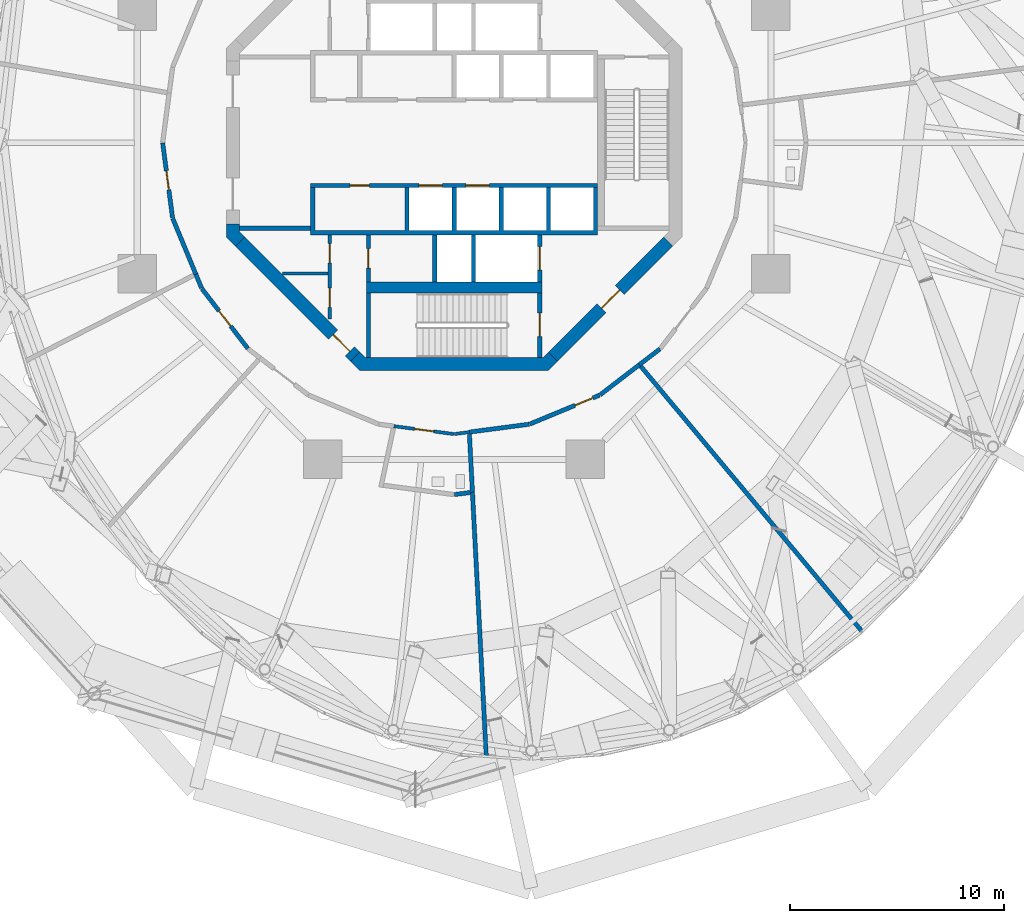
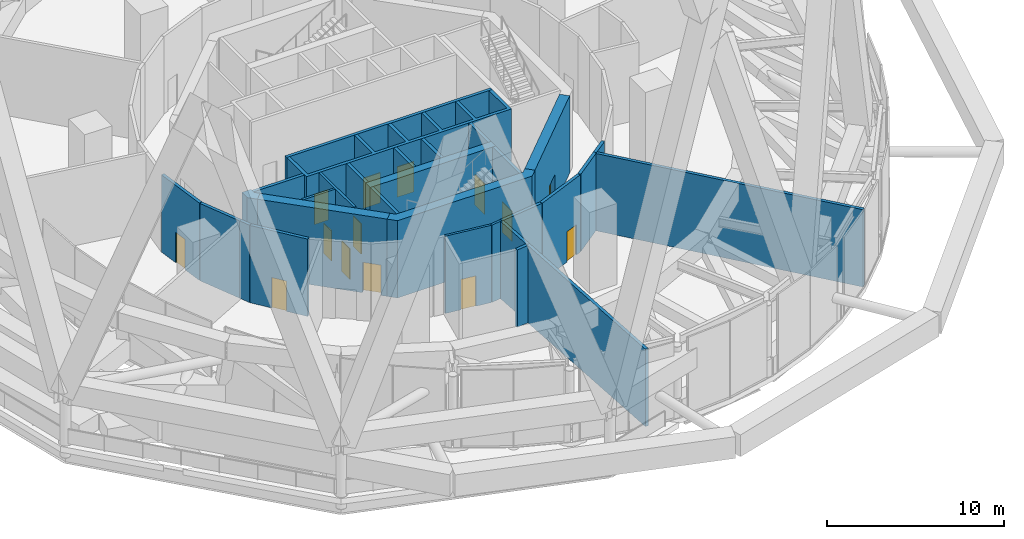
# One storey, part 49 of 60: 30 walls, 14 doors, 14 openings.
"""IFC4 building model written with IfcOpenShell, lengths in metres."""

from ifc_helpers import new_model, si_unit, direction, frame, frame_2d, origin, place, context, subcontext, project, spatial, polyline, rectangle, outline, extrude, material, layer, layer_set, type_object, element, fill, save


model = new_model("IFC4")

# Units and contexts
model_context = context("Model", 3, precision=1e-05, world=origin(), true_north=direction((0.0, 1.0)))
body_context = subcontext(model_context, "Body", "Model", "MODEL_VIEW")
ifc_project = project(units=[si_unit("LENGTHUNIT", "METRE"), si_unit("AREAUNIT", "SQUARE_METRE"), si_unit("VOLUMEUNIT", "CUBIC_METRE"), si_unit("PLANEANGLEUNIT", "RADIAN"), si_unit("MASSUNIT", "GRAM", prefix="KILO")], contexts=[model_context])

# Site, building, storey
site_placement = place(None, origin())
site = spatial("IfcSite", under=ifc_project, at=site_placement, CompositionType="ELEMENT")
building_placement = place(site_placement, origin())
building = spatial("IfcBuilding", under=site, at=building_placement, Name="Nagisa Residences", CompositionType="ELEMENT")
storey_placement = place(building_placement, frame((0.0, 0.0, 206.60009765625)))
storey = spatial("IfcBuildingStorey", under=building, at=storey_placement, Name="L52", CompositionType="ELEMENT", Elevation=206.60009765625)

# Wall, openings, doors
ifc_material_1 = material(Name="Gypsum board on steel studs", Category="steel")
ifc_layer_1 = layer(ifc_material_1, 0.14990234375)
ifc_layer_set_1 = layer_set([ifc_layer_1], Name="Core partition 150")
wall_type_1 = type_object("IfcWallType", Name="Core partition 150", PredefinedType="PARTITIONING", material=ifc_layer_set_1)
wall_1_placement = place(storey_placement, frame((-5.800048828125, -8.22705078125, 0.0), z_axis=(0.0, 0.0, 1.0), x_axis=(0.0, 1.0, 0.0)))
wall_1 = element("IfcWall", 1, at=wall_1_placement, inside=storey, type_object=wall_type_1, Name="wall:L52:SWp", PredefinedType="PARTITIONING", context=body_context, shape_type="SweptSolid", body=[
    extrude(rectangle(XDim=3.927001953125, YDim=0.14990234375, at=frame_2d((1.96337890625, 0.0))), origin(), (0.0, 0.0, 1.0), 5.33984375),
])
opening_1_placement = place(wall_1_placement, frame((2.614501953125, 0.0, 0.0)))
opening_1 = element("IfcOpeningElement", 2, at=opening_1_placement, cuts=wall_1, Name="Opening L52-C12", PredefinedType="OPENING", context=body_context, shape_type="SweptSolid", body=[
    extrude(rectangle(XDim=0.89990234375, YDim=2.10009765625, at=frame_2d((0.449951171875, 1.050048828125))), frame((0.0, 0.0849609375, 0.0), z_axis=(0.0, -1.0, 0.0), x_axis=(1.0, 0.0, 0.0)), (0.0, 0.0, 1.0), 0.169921875),
])
opening_2_placement = place(wall_1_placement, frame((0.53857421875, 0.0, 0.0)))
opening_2 = element("IfcOpeningElement", 3, at=opening_2_placement, cuts=wall_1, Name="Opening L52-C13", PredefinedType="OPENING", context=body_context, shape_type="SweptSolid", body=[
    extrude(rectangle(XDim=0.89990234375, YDim=2.10009765625, at=frame_2d((0.449951171875, 1.050048828125))), frame((0.0, 0.0849609375, 0.0), z_axis=(0.0, -1.0, 0.0), x_axis=(1.0, 0.0, 0.0)), (0.0, 0.0, 1.0), 0.169921875),
])
ifc_material_2 = material(Name="Steel fire door", Category="steel")
door_type_1 = type_object("IfcDoorType", Name="Fire door EI30 900x2100 single swing", OperationType="NOTDEFINED", PredefinedType="DOOR", material=ifc_material_2)
door_1_placement = place(opening_1_placement, origin())
door_1 = element("IfcDoor", 4, at=door_1_placement, inside=storey, type_object=door_type_1, Name="Valet store door L52", OperationType="SINGLE_SWING_RIGHT", OverallHeight=2.10009765625, OverallWidth=0.89990234375, PredefinedType="DOOR", context=body_context, shape_type="SweptSolid", body=[
    extrude(rectangle(XDim=0.89990234375, YDim=2.10009765625, at=frame_2d((0.449951171875, 1.050048828125))), frame((0.0, 0.02490234375, 0.0), z_axis=(0.0, -1.0, 0.0), x_axis=(1.0, 0.0, 0.0)), (0.0, 0.0, 1.0), 0.050048828125),
])
fill(opening_1, door_1)
door_2_placement = place(opening_2_placement, origin())
door_2 = element("IfcDoor", 5, at=door_2_placement, inside=storey, type_object=door_type_1, Name="Staff WC door L52", OperationType="SINGLE_SWING_RIGHT", OverallHeight=2.10009765625, OverallWidth=0.89990234375, PredefinedType="DOOR", context=body_context, shape_type="SweptSolid", body=[
    extrude(rectangle(XDim=0.89990234375, YDim=2.10009765625, at=frame_2d((0.449951171875, 1.050048828125))), frame((0.0, 0.02490234375, 0.0), z_axis=(0.0, -1.0, 0.0), x_axis=(1.0, 0.0, 0.0)), (0.0, 0.0, 1.0), 0.050048828125),
])
fill(opening_2, door_2)

# Walls
wall_2_placement = place(storey_placement, frame((-8.0009765625, -6.10009765625, 0.0), z_axis=(0.0, 0.0, 1.0), x_axis=(1.0, 0.0, 0.0)))
element("IfcWall", 6, at=wall_2_placement, inside=storey, type_object=wall_type_1, Name="wall:L52:SWq", PredefinedType="PARTITIONING", context=body_context, shape_type="SweptSolid", body=[
    extrude(rectangle(XDim=2.1259765625, YDim=0.14990234375, at=frame_2d((1.06298828125, 0.0))), origin(), (0.0, 0.0, 1.0), 5.33984375),
])
ifc_material_3 = material(Name="Gypsum board on steel studs", Category="steel")
ifc_layer_2 = layer(ifc_material_3, 0.199951171875)
ifc_layer_set_2 = layer_set([ifc_layer_2], Name="Core partition 200")
wall_type_2 = type_object("IfcWallType", Name="Core partition 200", PredefinedType="PARTITIONING", material=ifc_layer_set_2)
wall_3_placement = place(storey_placement, frame((-10.024658203125, -4.0, 0.0), z_axis=(0.0, 0.0, 1.0), x_axis=(1.0, 0.0, 0.0)))
element("IfcWall", 7, at=wall_3_placement, inside=storey, type_object=wall_type_2, Name="wall:L52:PSW", PredefinedType="PARTITIONING", context=body_context, shape_type="SweptSolid", body=[
    extrude(rectangle(XDim=3.32470703125, YDim=0.199951171875, at=frame_2d((1.662353515625, 0.0))), origin(), (0.0, 0.0, 1.0), 5.33984375),
])

# Wall, opening, door
ifc_material_4 = material(Name="Concrete C60", Category="concrete")
ifc_layer_3 = layer(ifc_material_4, 0.60009765625)
ifc_layer_set_3 = layer_set([ifc_layer_3], Name="Core shear wall 600")
wall_type_3 = type_object("IfcWallType", Name="Core shear wall 600", PredefinedType="SHEAR", material=ifc_layer_set_3)
wall_4_placement = place(storey_placement, frame((-9.98828125, -4.613037109375, 0.0), z_axis=(0.0, 0.0, 1.0), x_axis=(0.707106781187, -0.707106781187, 0.0)))
wall_4 = element("IfcWall", 8, at=wall_4_placement, inside=storey, type_object=wall_type_3, Name="wall:L52:core:flat5", PredefinedType="SHEAR", context=body_context, shape_type="SweptSolid", body=[
    extrude(rectangle(XDim=7.601806640625, YDim=0.60009765625, at=frame_2d((3.80078125, 0.0))), origin(), (0.0, 0.0, 1.0), 5.33984375),
])
opening_3_placement = place(wall_4_placement, frame((6.15087890625, 0.0, 0.0)))
opening_3 = element("IfcOpeningElement", 9, at=opening_3_placement, cuts=wall_4, Name="Opening L52-C23", PredefinedType="OPENING", context=body_context, shape_type="SweptSolid", body=[
    extrude(rectangle(XDim=1.10009765625, YDim=2.10009765625, at=frame_2d((0.550048828125, 1.050048828125))), frame((0.0, 0.31005859375, 0.0), z_axis=(0.0, -1.0, 0.0), x_axis=(1.0, 0.0, 0.0)), (0.0, 0.0, 1.0), 0.6201171875),
])
ifc_material_5 = material(Name="Steel fire door", Category="steel")
door_type_2 = type_object("IfcDoorType", Name="Fire door EI60 1100x2100 single swing", OperationType="NOTDEFINED", PredefinedType="DOOR", material=ifc_material_5)
door_3_placement = place(opening_3_placement, origin())
door_3 = element("IfcDoor", 10, at=door_3_placement, inside=storey, type_object=door_type_2, Name="Housekeeping lobby door L52", OperationType="SINGLE_SWING_LEFT", OverallHeight=2.10009765625, OverallWidth=1.10009765625, PredefinedType="DOOR", context=body_context, shape_type="SweptSolid", body=[
    extrude(rectangle(XDim=1.10009765625, YDim=2.10009765625, at=frame_2d((0.550048828125, 1.050048828125))), frame((0.0, 0.02490234375, 0.0), z_axis=(0.0, -1.0, 0.0), x_axis=(1.0, 0.0, 0.0)), (0.0, 0.0, 1.0), 0.050048828125),
])
fill(opening_3, door_3)

wall_5_placement = place(storey_placement, frame((4.613037109375, -9.98828125, 0.0), z_axis=(0.0, 0.0, 1.0), x_axis=(0.707106781187, 0.707106781187, 0.0)))
wall_5 = element("IfcWall", 11, at=wall_5_placement, inside=storey, type_object=wall_type_3, Name="wall:L52:core:flat7", PredefinedType="SHEAR", context=body_context, shape_type="SweptSolid", body=[
    extrude(rectangle(XDim=7.601806640625, YDim=0.60009765625, at=frame_2d((3.80078125, 0.0))), origin(), (0.0, 0.0, 1.0), 5.33984375),
])
opening_4_placement = place(wall_5_placement, frame((3.200927734375, 0.0, 0.0)))
opening_4 = element("IfcOpeningElement", 12, at=opening_4_placement, cuts=wall_5, Name="Opening L52-C19", PredefinedType="OPENING", context=body_context, shape_type="SweptSolid", body=[
    extrude(rectangle(XDim=1.199951171875, YDim=2.10009765625, at=frame_2d((0.60009765625, 1.050048828125))), frame((0.0, 0.31005859375, 0.0), z_axis=(0.0, -1.0, 0.0), x_axis=(1.0, 0.0, 0.0)), (0.0, 0.0, 1.0), 0.6201171875),
])
ifc_material_6 = material(Name="Steel fire door", Category="steel")
door_type_3 = type_object("IfcDoorType", Name="Fire door EI60 1200x2100 single swing", OperationType="NOTDEFINED", PredefinedType="DOOR", material=ifc_material_6)
door_4_placement = place(opening_4_placement, origin())
door_4 = element("IfcDoor", 13, at=door_4_placement, inside=storey, type_object=door_type_3, Name="Firefighting lobby 2 door L52", OperationType="SINGLE_SWING_LEFT", OverallHeight=2.10009765625, OverallWidth=1.199951171875, PredefinedType="DOOR", context=body_context, shape_type="SweptSolid", body=[
    extrude(rectangle(XDim=1.199951171875, YDim=2.10009765625, at=frame_2d((0.60009765625, 1.050048828125))), frame((0.0, 0.02490234375, 0.0), z_axis=(0.0, -1.0, 0.0), x_axis=(1.0, 0.0, 0.0)), (0.0, 0.0, 1.0), 0.050048828125),
])
fill(opening_4, door_4)

# Walls
wall_6_placement = place(storey_placement, origin())
element("IfcWall", 14, at=wall_6_placement, inside=storey, type_object=wall_type_3, Name="wall:L52:core:pier4", PredefinedType="SHEAR", context=body_context, shape_type="SweptSolid", body=[
    extrude(outline(polyline([(-10.62451171875, -3.80078125), (-10.024658203125, -3.80078125), (-10.024658203125, -4.15234375), (-9.776123046875, -4.40087890625), (-10.200439453125, -4.8251953125), (-10.62451171875, -4.40087890625), (-10.62451171875, -3.80078125)])), origin(), (0.0, 0.0, 1.0), 5.33984375),
])
wall_7_placement = place(storey_placement, origin())
element("IfcWall", 15, at=wall_7_placement, inside=storey, type_object=wall_type_3, Name="wall:L52:core:flat6", PredefinedType="SHEAR", context=body_context, shape_type="SweptSolid", body=[
    extrude(outline(polyline([(-4.15234375, -10.024658203125), (4.15234375, -10.024658203125), (4.40087890625, -9.776123046875), (4.8251953125, -10.200439453125), (4.40087890625, -10.62451171875), (-4.40087890625, -10.62451171875), (-4.8251953125, -10.200439453125), (-4.40087890625, -9.776123046875), (-4.15234375, -10.024658203125)])), origin(), (0.0, 0.0, 1.0), 5.33984375),
])

# Wall, opening, door
ifc_material_7 = material(Name="Concrete C60", Category="concrete")
ifc_layer_4 = layer(ifc_material_7, 0.199951171875)
ifc_layer_set_4 = layer_set([ifc_layer_4], Name="Lift shaft wall 200")
wall_type_4 = type_object("IfcWallType", Name="Lift shaft wall 200", PredefinedType="SOLIDWALL", material=ifc_layer_set_4)
wall_8_placement = place(storey_placement, frame((4.0, -6.5, 0.0), z_axis=(0.0, 0.0, 1.0), x_axis=(0.0, 1.0, 0.0)))
wall_8 = element("IfcWall", 16, at=wall_8_placement, inside=storey, type_object=wall_type_4, Name="wall:L52:Sb3", PredefinedType="SOLIDWALL", context=body_context, shape_type="SweptSolid", body=[
    extrude(rectangle(XDim=2.199951171875, YDim=0.199951171875, at=frame_2d((1.10009765625, 0.0))), origin(), (0.0, 0.0, 1.0), 5.33984375),
])
opening_5_placement = place(wall_8_placement, frame((0.550048828125, 0.0, 0.0)))
opening_5 = element("IfcOpeningElement", 17, at=opening_5_placement, cuts=wall_8, Name="Opening L52-C06", PredefinedType="OPENING", context=body_context, shape_type="SweptSolid", body=[
    extrude(rectangle(XDim=1.10009765625, YDim=2.10009765625, at=frame_2d((0.550048828125, 1.050048828125))), frame((0.0, 0.10986328125, 0.0), z_axis=(0.0, -1.0, 0.0), x_axis=(1.0, 0.0, 0.0)), (0.0, 0.0, 1.0), 0.219970703125),
])
ifc_material_8 = material(Name="Stainless steel", Category="steel")
door_type_4 = type_object("IfcDoorType", Name="Lift landing door 1100x2100", OperationType="DOUBLE_DOOR_SLIDING", PredefinedType="DOOR", material=ifc_material_8)
door_5_placement = place(opening_5_placement, origin())
door_5 = element("IfcDoor", 18, at=door_5_placement, inside=storey, type_object=door_type_4, Name="Landing door FL2 L52", OperationType="DOUBLE_DOOR_SLIDING", OverallHeight=2.10009765625, OverallWidth=1.10009765625, PredefinedType="DOOR", context=body_context, shape_type="SweptSolid", body=[
    extrude(rectangle(XDim=1.10009765625, YDim=2.10009765625, at=frame_2d((0.550048828125, 1.050048828125))), frame((0.0, 0.02490234375, 0.0), z_axis=(0.0, -1.0, 0.0), x_axis=(1.0, 0.0, 0.0)), (0.0, 0.0, 1.0), 0.050048828125),
])
fill(opening_5, door_5)

wall_9_placement = place(storey_placement, frame((-4.0, -6.5, 0.0), z_axis=(0.0, 0.0, 1.0), x_axis=(0.0, 1.0, 0.0)))
wall_9 = element("IfcWall", 19, at=wall_9_placement, inside=storey, type_object=wall_type_4, Name="wall:L52:Sb4", PredefinedType="SOLIDWALL", context=body_context, shape_type="SweptSolid", body=[
    extrude(rectangle(XDim=2.199951171875, YDim=0.199951171875, at=frame_2d((1.10009765625, 0.0))), origin(), (0.0, 0.0, 1.0), 5.33984375),
])
opening_6_placement = place(wall_9_placement, frame((0.64990234375, 0.0, 0.0)))
opening_6 = element("IfcOpeningElement", 20, at=opening_6_placement, cuts=wall_9, Name="Opening L52-C14", PredefinedType="OPENING", context=body_context, shape_type="SweptSolid", body=[
    extrude(rectangle(XDim=0.89990234375, YDim=2.10009765625, at=frame_2d((0.449951171875, 1.050048828125))), frame((0.0, 0.10986328125, 0.0), z_axis=(0.0, -1.0, 0.0), x_axis=(1.0, 0.0, 0.0)), (0.0, 0.0, 1.0), 0.219970703125),
])
door_6_placement = place(opening_6_placement, frame((0.89990234375, 0.0, 0.0), x_axis=(-1.0, 0.0, 0.0)))
door_6 = element("IfcDoor", 21, at=door_6_placement, inside=storey, type_object=door_type_1, Name="Refuse room door L52", OperationType="SINGLE_SWING_LEFT", OverallHeight=2.10009765625, OverallWidth=0.89990234375, PredefinedType="DOOR", context=body_context, shape_type="SweptSolid", body=[
    extrude(rectangle(XDim=0.89990234375, YDim=2.10009765625, at=frame_2d((0.449951171875, 1.050048828125))), frame((0.0, 0.02490234375, 0.0), z_axis=(0.0, -1.0, 0.0), x_axis=(1.0, 0.0, 0.0)), (0.0, 0.0, 1.0), 0.050048828125),
])
fill(opening_6, door_6)

# Wall, openings, doors
wall_10_placement = place(storey_placement, frame((-6.699951171875, -2.0, 0.0), z_axis=(0.0, 0.0, 1.0), x_axis=(1.0, 0.0, 0.0)))
wall_10 = element("IfcWall", 22, at=wall_10_placement, inside=storey, type_object=wall_type_4, Name="wall:L52:Sfront", PredefinedType="SOLIDWALL", context=body_context, shape_type="SweptSolid", body=[
    extrude(rectangle(XDim=13.39990234375, YDim=0.199951171875, at=frame_2d((6.699951171875, 0.0))), origin(), (0.0, 0.0, 1.0), 5.33984375),
])
opening_7_placement = place(wall_10_placement, frame((5.050048828125, 0.0, 0.0)))
opening_7 = element("IfcOpeningElement", 23, at=opening_7_placement, cuts=wall_10, Name="Opening L52-C03", PredefinedType="OPENING", context=body_context, shape_type="SweptSolid", body=[
    extrude(rectangle(XDim=1.10009765625, YDim=2.10009765625, at=frame_2d((0.550048828125, 1.050048828125))), frame((0.0, 0.10986328125, 0.0), z_axis=(0.0, -1.0, 0.0), x_axis=(1.0, 0.0, 0.0)), (0.0, 0.0, 1.0), 0.219970703125),
])
opening_8_placement = place(wall_10_placement, frame((7.25, 0.0, 0.0)))
opening_8 = element("IfcOpeningElement", 24, at=opening_8_placement, cuts=wall_10, Name="Opening L52-C04", PredefinedType="OPENING", context=body_context, shape_type="SweptSolid", body=[
    extrude(rectangle(XDim=1.10009765625, YDim=2.10009765625, at=frame_2d((0.550048828125, 1.050048828125))), frame((0.0, 0.10986328125, 0.0), z_axis=(0.0, -1.0, 0.0), x_axis=(1.0, 0.0, 0.0)), (0.0, 0.0, 1.0), 0.219970703125),
])
opening_9_placement = place(wall_10_placement, frame((1.85009765625, 0.0, 0.0)))
opening_9 = element("IfcOpeningElement", 25, at=opening_9_placement, cuts=wall_10, Name="Opening L52-C17", PredefinedType="OPENING", context=body_context, shape_type="SweptSolid", body=[
    extrude(rectangle(XDim=0.89990234375, YDim=2.10009765625, at=frame_2d((0.449951171875, 1.050048828125))), frame((0.0, 0.10986328125, 0.0), z_axis=(0.0, -1.0, 0.0), x_axis=(1.0, 0.0, 0.0)), (0.0, 0.0, 1.0), 0.219970703125),
])
door_7_placement = place(opening_9_placement, frame((0.89990234375, 0.0, 0.0), x_axis=(-1.0, 0.0, 0.0)))
door_7 = element("IfcDoor", 26, at=door_7_placement, inside=storey, type_object=door_type_1, Name="Linen store door L52", OperationType="SINGLE_SWING_RIGHT", OverallHeight=2.10009765625, OverallWidth=0.89990234375, PredefinedType="DOOR", context=body_context, shape_type="SweptSolid", body=[
    extrude(rectangle(XDim=0.89990234375, YDim=2.10009765625, at=frame_2d((0.449951171875, 1.050048828125))), frame((0.0, 0.02490234375, 0.0), z_axis=(0.0, -1.0, 0.0), x_axis=(1.0, 0.0, 0.0)), (0.0, 0.0, 1.0), 0.050048828125),
])
fill(opening_9, door_7)
door_8_placement = place(opening_7_placement, origin())
door_8 = element("IfcDoor", 27, at=door_8_placement, inside=storey, type_object=door_type_4, Name="Landing door B3 L52", OperationType="DOUBLE_DOOR_SLIDING", OverallHeight=2.10009765625, OverallWidth=1.10009765625, PredefinedType="DOOR", context=body_context, shape_type="SweptSolid", body=[
    extrude(rectangle(XDim=1.10009765625, YDim=2.10009765625, at=frame_2d((0.550048828125, 1.050048828125))), frame((0.0, 0.02490234375, 0.0), z_axis=(0.0, -1.0, 0.0), x_axis=(1.0, 0.0, 0.0)), (0.0, 0.0, 1.0), 0.050048828125),
])
fill(opening_7, door_8)
door_9_placement = place(opening_8_placement, origin())
door_9 = element("IfcDoor", 28, at=door_9_placement, inside=storey, type_object=door_type_4, Name="Landing door B4 L52", OperationType="DOUBLE_DOOR_SLIDING", OverallHeight=2.10009765625, OverallWidth=1.10009765625, PredefinedType="DOOR", context=body_context, shape_type="SweptSolid", body=[
    extrude(rectangle(XDim=1.10009765625, YDim=2.10009765625, at=frame_2d((0.550048828125, 1.050048828125))), frame((0.0, 0.02490234375, 0.0), z_axis=(0.0, -1.0, 0.0), x_axis=(1.0, 0.0, 0.0)), (0.0, 0.0, 1.0), 0.050048828125),
])
fill(opening_8, door_9)

# Walls
for number, where, z_axis, x_axis, name in (
    (29, (-0.89990234375, -6.5, 0.0), (0.0, 0.0, 1.0), (0.0, 1.0, 0.0), "wall:L52:Sb1"),
    (30, (0.89990234375, -6.5, 0.0), (0.0, 0.0, 1.0), (0.0, 1.0, 0.0), "wall:L52:Sb2"),
):
    element("IfcWall", number, at=place(storey_placement, frame(where, z_axis=z_axis, x_axis=x_axis)), inside=storey, type_object=wall_type_4, Name=name, PredefinedType="SOLIDWALL", context=body_context, shape_type="SweptSolid", body=[
        extrude(rectangle(XDim=2.199951171875, YDim=0.199951171875, at=frame_2d((1.10009765625, 0.0))), origin(), (0.0, 0.0, 1.0), 5.33984375),
    ])
wall_11_placement = place(storey_placement, origin())
element("IfcWall", 31, at=wall_11_placement, inside=storey, type_object=wall_type_4, Name="wall:L52:Sback", PredefinedType="SOLIDWALL", context=body_context, shape_type="SweptSolid", body=[
    extrude(outline(polyline([(-6.699951171875, -2.10009765625), (-6.5, -2.10009765625), (-6.5, -4.10009765625), (-2.300048828125, -4.10009765625), (-2.300048828125, -2.10009765625), (-2.10009765625, -2.10009765625), (-2.10009765625, -4.10009765625), (-0.10009765625, -4.10009765625), (-0.10009765625, -2.10009765625), (0.10009765625, -2.10009765625), (0.10009765625, -4.10009765625), (2.10009765625, -4.10009765625), (2.10009765625, -2.10009765625), (2.300048828125, -2.10009765625), (2.300048828125, -4.10009765625), (4.300048828125, -4.10009765625), (4.300048828125, -2.10009765625), (4.5, -2.10009765625), (4.5, -4.10009765625), (6.5, -4.10009765625), (6.5, -2.10009765625), (6.699951171875, -2.10009765625), (6.699951171875, -4.300048828125), (-6.699951171875, -4.300048828125), (-6.699951171875, -2.10009765625)])), origin(), (0.0, 0.0, 1.0), 5.33984375),
])

# Wall, opening, door
ifc_material_9 = material(Name="Gypsum board on steel studs", Category="steel")
ifc_layer_5 = layer(ifc_material_9, 0.199951171875)
ifc_layer_set_5 = layer_set([ifc_layer_5], Name="Plant room wall EI120 200")
wall_type_5 = type_object("IfcWallType", Name="Plant room wall EI120 200", PredefinedType="PARTITIONING", material=ifc_layer_set_5)
wall_12_placement = place(storey_placement, frame((-13.138671875, -3.5048828125, 0.0), z_axis=(0.0, 0.0, 1.0), x_axis=(-0.130468866457, 0.991452406768, 0.0)))
wall_12 = element("IfcWall", 32, at=wall_12_placement, inside=storey, type_object=wall_type_5, Name="wall:L52:am007", PredefinedType="PARTITIONING", context=body_context, shape_type="SweptSolid", body=[
    extrude(rectangle(XDim=3.519775390625, YDim=0.199951171875, at=frame_2d((1.759765625, 0.0))), origin(), (0.0, 0.0, 1.0), 5.33984375),
])
opening_10_placement = place(wall_12_placement, frame((1.31005859375, 0.0, 0.0)))
opening_10 = element("IfcOpeningElement", 33, at=opening_10_placement, cuts=wall_12, Name="Opening L52-A05", PredefinedType="OPENING", context=body_context, shape_type="SweptSolid", body=[
    extrude(rectangle(XDim=0.89990234375, YDim=2.10009765625, at=frame_2d((0.449951171875, 1.050048828125))), frame((0.0, 0.10986328125, 0.0), z_axis=(0.0, -1.0, 0.0), x_axis=(1.0, 0.0, 0.0)), (0.0, 0.0, 1.0), 0.219970703125),
])
ifc_material_10 = material(Name="Steel fire door", Category="steel")
door_type_5 = type_object("IfcDoorType", Name="Fire door EI120 900x2100 single swing", OperationType="NOTDEFINED", PredefinedType="DOOR", material=ifc_material_10)
door_10_placement = place(opening_10_placement, origin())
door_10 = element("IfcDoor", 34, at=door_10_placement, inside=storey, type_object=door_type_5, Name="Pressurisation fan room door", OperationType="SINGLE_SWING_LEFT", OverallHeight=2.10009765625, OverallWidth=0.89990234375, PredefinedType="DOOR", context=body_context, shape_type="SweptSolid", body=[
    extrude(rectangle(XDim=0.89990234375, YDim=2.10009765625, at=frame_2d((0.449951171875, 1.050048828125))), frame((0.0, 0.02490234375, 0.0), z_axis=(0.0, -1.0, 0.0), x_axis=(1.0, 0.0, 0.0)), (0.0, 0.0, 1.0), 0.050048828125),
])
fill(opening_10, door_10)

# Walls
wall_13_placement = place(storey_placement, frame((-12.051025390625, -6.140380859375, 0.0), z_axis=(0.0, 0.0, 1.0), x_axis=(-0.382746658536, 0.923853340839, 0.0)))
element("IfcWall", 35, at=wall_13_placement, inside=storey, type_object=wall_type_5, Name="wall:L52:am010", PredefinedType="PARTITIONING", context=body_context, shape_type="SweptSolid", body=[
    extrude(rectangle(XDim=2.8212890625, YDim=0.199951171875, at=frame_2d((1.41064453125, 0.0))), origin(), (0.0, 0.0, 1.0), 5.33984375),
])
wall_14_placement = place(storey_placement, frame((-11.78369140625, -6.785888671875, 0.0), z_axis=(0.0, 0.0, 1.0), x_axis=(-0.382629548378, 0.923901850148, 0.0)))
element("IfcWall", 36, at=wall_14_placement, inside=storey, type_object=wall_type_5, Name="wall:L52:am011", PredefinedType="PARTITIONING", context=body_context, shape_type="SweptSolid", body=[
    extrude(rectangle(XDim=0.69873046875, YDim=0.199951171875, at=frame_2d((0.349365234375, 0.0))), origin(), (0.0, 0.0, 1.0), 5.33984375),
])

# Wall, opening, door
wall_15_placement = place(storey_placement, frame((-9.6259765625, -9.604736328125, 0.0), z_axis=(0.0, 0.0, 1.0), x_axis=(-0.608697977542, 0.793402024283, 0.0)))
wall_15 = element("IfcWall", 37, at=wall_15_placement, inside=storey, type_object=wall_type_5, Name="wall:L52:am013", PredefinedType="PARTITIONING", context=body_context, shape_type="SweptSolid", body=[
    extrude(rectangle(XDim=3.52001953125, YDim=0.199951171875, at=frame_2d((1.760009765625, 0.0))), origin(), (0.0, 0.0, 1.0), 5.33984375),
])
opening_11_placement = place(wall_15_placement, frame((1.31005859375, 0.0, 0.0)))
opening_11 = element("IfcOpeningElement", 38, at=opening_11_placement, cuts=wall_15, Name="Opening L52-A06", PredefinedType="OPENING", context=body_context, shape_type="SweptSolid", body=[
    extrude(rectangle(XDim=0.89990234375, YDim=2.10009765625, at=frame_2d((0.449951171875, 1.050048828125))), frame((0.0, 0.10986328125, 0.0), z_axis=(0.0, -1.0, 0.0), x_axis=(1.0, 0.0, 0.0)), (0.0, 0.0, 1.0), 0.219970703125),
])
door_11_placement = place(opening_11_placement, origin())
door_11 = element("IfcDoor", 39, at=door_11_placement, inside=storey, type_object=door_type_5, Name="Electrical riser room door", OperationType="SINGLE_SWING_RIGHT", OverallHeight=2.10009765625, OverallWidth=0.89990234375, PredefinedType="DOOR", context=body_context, shape_type="SweptSolid", body=[
    extrude(rectangle(XDim=0.89990234375, YDim=2.10009765625, at=frame_2d((0.449951171875, 1.050048828125))), frame((0.0, 0.02490234375, 0.0), z_axis=(0.0, -1.0, 0.0), x_axis=(1.0, 0.0, 0.0)), (0.0, 0.0, 1.0), 0.050048828125),
])
fill(opening_11, door_11)

# Walls
wall_16_placement = place(storey_placement, frame((0.713134765625, -13.60693359375, 0.0), z_axis=(0.0, 0.0, 1.0), x_axis=(0.052374308672, -0.99862752405, 0.0)))
element("IfcWall", 40, at=wall_16_placement, inside=storey, type_object=wall_type_5, Name="wall:L52:am027", PredefinedType="PARTITIONING", context=body_context, shape_type="SweptSolid", body=[
    extrude(rectangle(XDim=2.708251953125, YDim=0.199951171875, at=frame_2d((1.35400390625, 0.0))), origin(), (0.0, 0.0, 1.0), 5.33984375),
])
wall_17_placement = place(storey_placement, frame((0.75537109375, -16.32470703125, 0.0), z_axis=(0.0, 0.0, 1.0), x_axis=(-0.991452069421, -0.13047142998, 0.0)))
element("IfcWall", 41, at=wall_17_placement, inside=storey, type_object=wall_type_5, Name="wall:L52:am030", PredefinedType="PARTITIONING", context=body_context, shape_type="SweptSolid", body=[
    extrude(rectangle(XDim=0.74658203125, YDim=0.199951171875, at=frame_2d((0.373291015625, 0.0))), origin(), (0.0, 0.0, 1.0), 5.33984375),
])
wall_18_placement = place(storey_placement, frame((0.85498046875, -16.3115234375, 0.0), z_axis=(0.0, 0.0, 1.0), x_axis=(0.052320717152, -0.998630333285, 0.0)))
element("IfcWall", 42, at=wall_18_placement, inside=storey, type_object=wall_type_5, Name="wall:L52:am031", PredefinedType="PARTITIONING", context=body_context, shape_type="SweptSolid", body=[
    extrude(rectangle(XDim=12.323486328125, YDim=0.199951171875, at=frame_2d((6.16162109375, 0.0))), origin(), (0.0, 0.0, 1.0), 5.33984375),
])
wall_19_placement = place(storey_placement, frame((3.5048828125, -13.138671875, 0.0), z_axis=(0.0, 0.0, 1.0), x_axis=(-0.991447224467, -0.130508241489, 0.0)))
element("IfcWall", 43, at=wall_19_placement, inside=storey, type_object=wall_type_5, Name="wall:L52:am032", PredefinedType="PARTITIONING", context=body_context, shape_type="SweptSolid", body=[
    extrude(rectangle(XDim=2.821044921875, YDim=0.199951171875, at=frame_2d((1.41064453125, 0.0))), origin(), (0.0, 0.0, 1.0), 5.33984375),
])

# Wall, opening, door
wall_20_placement = place(storey_placement, frame((6.785888671875, -11.78369140625, 0.0), z_axis=(0.0, 0.0, 1.0), x_axis=(-0.92386297064, -0.382723413813, 0.0)))
wall_20 = element("IfcWall", 44, at=wall_20_placement, inside=storey, type_object=wall_type_5, Name="wall:L52:am034", PredefinedType="PARTITIONING", context=body_context, shape_type="SweptSolid", body=[
    extrude(rectangle(XDim=3.52001953125, YDim=0.199951171875, at=frame_2d((1.760009765625, 0.0))), origin(), (0.0, 0.0, 1.0), 5.33984375),
])
opening_12_placement = place(wall_20_placement, frame((0.34228515625, 0.0, 0.0)))
opening_12 = element("IfcOpeningElement", 45, at=opening_12_placement, cuts=wall_20, Name="Opening L52-A09", PredefinedType="OPENING", context=body_context, shape_type="SweptSolid", body=[
    extrude(rectangle(XDim=0.89990234375, YDim=2.10009765625, at=frame_2d((0.449951171875, 1.050048828125))), frame((0.0, 0.10986328125, 0.0), z_axis=(0.0, -1.0, 0.0), x_axis=(1.0, 0.0, 0.0)), (0.0, 0.0, 1.0), 0.219970703125),
])
door_12_placement = place(opening_12_placement, origin())
door_12 = element("IfcDoor", 46, at=door_12_placement, inside=storey, type_object=door_type_5, Name="Smoke control plant room door", OperationType="SINGLE_SWING_LEFT", OverallHeight=2.10009765625, OverallWidth=0.89990234375, PredefinedType="DOOR", context=body_context, shape_type="SweptSolid", body=[
    extrude(rectangle(XDim=0.89990234375, YDim=2.10009765625, at=frame_2d((0.449951171875, 1.050048828125))), frame((0.0, 0.02490234375, 0.0), z_axis=(0.0, -1.0, 0.0), x_axis=(1.0, 0.0, 0.0)), (0.0, 0.0, 1.0), 0.050048828125),
])
fill(opening_12, door_12)

# Walls
wall_21_placement = place(storey_placement, frame((8.646484375, -10.361083984375, 0.0), z_axis=(0.0, 0.0, 1.0), x_axis=(-0.793388779929, -0.60871524039, 0.0)))
element("IfcWall", 47, at=wall_21_placement, inside=storey, type_object=wall_type_5, Name="wall:L52:am036", PredefinedType="PARTITIONING", context=body_context, shape_type="SweptSolid", body=[
    extrude(rectangle(XDim=2.312255859375, YDim=0.199951171875, at=frame_2d((1.15625, 0.0))), origin(), (0.0, 0.0, 1.0), 5.33984375),
])
wall_22_placement = place(storey_placement, frame((8.710693359375, -10.437744140625, 0.0), z_axis=(0.0, 0.0, 1.0), x_axis=(0.640724447671, -0.767770917759, 0.0)))
element("IfcWall", 48, at=wall_22_placement, inside=storey, type_object=wall_type_5, Name="wall:L52:am037", PredefinedType="PARTITIONING", context=body_context, shape_type="SweptSolid", body=[
    extrude(rectangle(XDim=16.092041015625, YDim=0.199951171875, at=frame_2d((8.0458984375, 0.0))), origin(), (0.0, 0.0, 1.0), 5.33984375),
])
wall_23_placement = place(storey_placement, frame((9.604736328125, -9.6259765625, 0.0), z_axis=(0.0, 0.0, 1.0), x_axis=(-0.793427379392, -0.608664927223, 0.0)))
element("IfcWall", 49, at=wall_23_placement, inside=storey, type_object=wall_type_5, Name="wall:L52:am040", PredefinedType="PARTITIONING", context=body_context, shape_type="SweptSolid", body=[
    extrude(rectangle(XDim=1.207763671875, YDim=0.199951171875, at=frame_2d((0.60400390625, 0.0))), origin(), (0.0, 0.0, 1.0), 5.33984375),
])

# Wall, opening, door
ifc_material_11 = material(Name="Gypsum board on steel studs", Category="steel")
ifc_layer_6 = layer(ifc_material_11, 0.14990234375)
ifc_layer_set_6 = layer_set([ifc_layer_6], Name="Room partition EI60 150")
wall_type_6 = type_object("IfcWallType", Name="Room partition EI60 150", PredefinedType="PARTITIONING", material=ifc_layer_set_6)
wall_24_placement = place(storey_placement, frame((-0.01171875, -13.598388671875, 0.0), z_axis=(0.0, 0.0, 1.0), x_axis=(-0.991445467051, 0.130521591565, 0.0)))
wall_24 = element("IfcWall", 50, at=wall_24_placement, inside=storey, type_object=wall_type_6, Name="wall:L52:am000", PredefinedType="PARTITIONING", context=body_context, shape_type="SweptSolid", body=[
    extrude(rectangle(XDim=2.824462890625, YDim=0.14990234375, at=frame_2d((1.412109375, 0.0))), origin(), (0.0, 0.0, 1.0), 5.33984375),
])
opening_13_placement = place(wall_24_placement, frame((0.956298828125, 0.0, 0.0)))
opening_13 = element("IfcOpeningElement", 51, at=opening_13_placement, cuts=wall_24, Name="Opening L52-A07", PredefinedType="OPENING", context=body_context, shape_type="SweptSolid", body=[
    extrude(rectangle(XDim=0.89990234375, YDim=2.10009765625, at=frame_2d((0.449951171875, 1.050048828125))), frame((0.0, 0.0849609375, 0.0), z_axis=(0.0, -1.0, 0.0), x_axis=(1.0, 0.0, 0.0)), (0.0, 0.0, 1.0), 0.169921875),
])
door_13_placement = place(opening_13_placement, origin())
door_13 = element("IfcDoor", 52, at=door_13_placement, inside=storey, type_object=door_type_1, Name="Accessible refuge WC door", OperationType="SINGLE_SWING_LEFT", OverallHeight=2.10009765625, OverallWidth=0.89990234375, PredefinedType="DOOR", context=body_context, shape_type="SweptSolid", body=[
    extrude(rectangle(XDim=0.89990234375, YDim=2.10009765625, at=frame_2d((0.449951171875, 1.050048828125))), frame((0.0, 0.02490234375, 0.0), z_axis=(0.0, -1.0, 0.0), x_axis=(1.0, 0.0, 0.0)), (0.0, 0.0, 1.0), 0.050048828125),
])
fill(opening_13, door_13)

# Wall
wall_25_placement = place(storey_placement, frame((0.7080078125, -13.5068359375, 0.0), z_axis=(0.0, 0.0, 1.0), x_axis=(-0.991466123966, -0.130364585024, 0.0)))
element("IfcWall", 53, at=wall_25_placement, inside=storey, type_object=wall_type_6, Name="wall:L52:am001", PredefinedType="PARTITIONING", context=body_context, shape_type="SweptSolid", body=[
    extrude(rectangle(XDim=0.702392578125, YDim=0.14990234375, at=frame_2d((0.35107421875, 0.0))), origin(), (0.0, 0.0, 1.0), 5.33984375),
])

# Wall, opening, door
ifc_material_12 = material(Name="Concrete C60", Category="concrete")
ifc_layer_7 = layer(ifc_material_12, 0.199951171875)
ifc_layer_set_7 = layer_set([ifc_layer_7], Name="Stair enclosure wall 200")
wall_type_7 = type_object("IfcWallType", Name="Stair enclosure wall 200", PredefinedType="SOLIDWALL", material=ifc_layer_set_7)
wall_26_placement = place(storey_placement, frame((4.0, -10.024658203125, 0.0), z_axis=(0.0, 0.0, 1.0), x_axis=(0.0, 1.0, 0.0)))
wall_26 = element("IfcWall", 54, at=wall_26_placement, inside=storey, type_object=wall_type_7, Name="wall:L52:SS_e", PredefinedType="SOLIDWALL", context=body_context, shape_type="SweptSolid", body=[
    extrude(rectangle(XDim=3.0, YDim=0.199951171875, at=frame_2d((1.5, 0.0))), origin(), (0.0, 0.0, 1.0), 5.33984375),
])
opening_14_placement = place(wall_26_placement, frame((0.974609375, 0.0, 0.0)))
opening_14 = element("IfcOpeningElement", 55, at=opening_14_placement, cuts=wall_26, Name="Opening L52-C10", PredefinedType="OPENING", context=body_context, shape_type="SweptSolid", body=[
    extrude(rectangle(XDim=1.10009765625, YDim=2.10009765625, at=frame_2d((0.550048828125, 1.050048828125))), frame((0.0, 0.10986328125, 0.0), z_axis=(0.0, -1.0, 0.0), x_axis=(1.0, 0.0, 0.0)), (0.0, 0.0, 1.0), 0.219970703125),
])
ifc_material_13 = material(Name="Steel fire door", Category="steel")
door_type_6 = type_object("IfcDoorType", Name="Fire door EI90 1100x2100 single swing", OperationType="NOTDEFINED", PredefinedType="DOOR", material=ifc_material_13)
door_14_placement = place(opening_14_placement, origin())
door_14 = element("IfcDoor", 56, at=door_14_placement, inside=storey, type_object=door_type_6, Name="Stair door ST-S L52", OperationType="SINGLE_SWING_RIGHT", OverallHeight=2.10009765625, OverallWidth=1.10009765625, PredefinedType="DOOR", context=body_context, shape_type="SweptSolid", body=[
    extrude(rectangle(XDim=1.10009765625, YDim=2.10009765625, at=frame_2d((0.550048828125, 1.050048828125))), frame((0.0, 0.02490234375, 0.0), z_axis=(0.0, -1.0, 0.0), x_axis=(1.0, 0.0, 0.0)), (0.0, 0.0, 1.0), 0.050048828125),
])
fill(opening_14, door_14)

# Walls
wall_27_placement = place(storey_placement, origin())
element("IfcWall", 57, at=wall_27_placement, inside=storey, type_object=wall_type_7, Name="wall:L52:SS_w", PredefinedType="SOLIDWALL", context=body_context, shape_type="SweptSolid", body=[
    extrude(outline(polyline([(-3.89990234375, -10.024658203125), (-4.10009765625, -10.024658203125), (-4.10009765625, -7.024658203125), (-3.89990234375, -7.024658203125), (-3.89990234375, -10.024658203125)])), origin(), (0.0, 0.0, 1.0), 5.33984375),
])
wall_28_placement = place(storey_placement, origin())
element("IfcWall", 58, at=wall_28_placement, inside=storey, type_object=wall_type_7, Name="wall:L52:SS_n", PredefinedType="SOLIDWALL", context=body_context, shape_type="SweptSolid", body=[
    extrude(outline(polyline([(4.10009765625, -7.024658203125), (-4.10009765625, -7.024658203125), (-4.10009765625, -6.5), (4.10009765625, -6.5), (4.10009765625, -7.024658203125)])), origin(), (0.0, 0.0, 1.0), 5.33984375),
])

save(model, "model.ifc")
